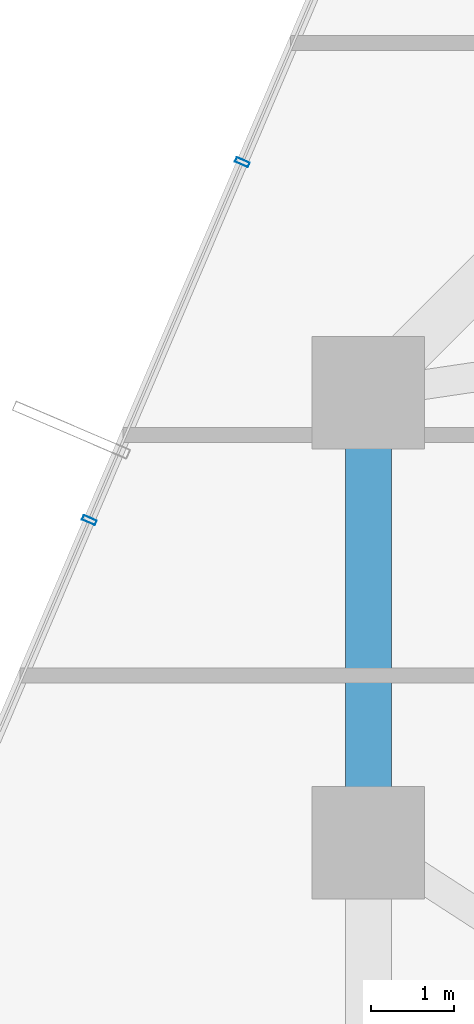
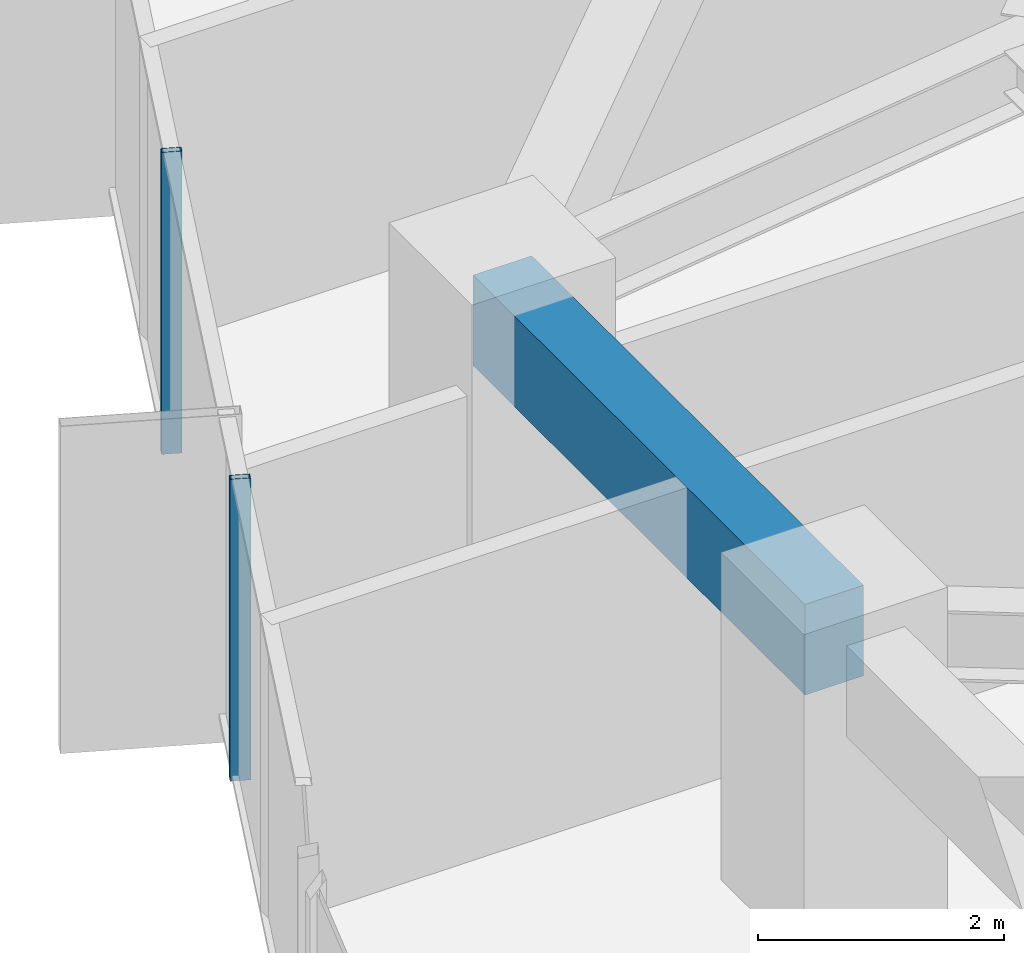
# One storey, part 12 of 37: 2 members, 1 beam, 1 element without a shape of its own.
"""IFC4 building model written with IfcOpenShell, lengths in metres."""

from ifc_helpers import new_model, si_unit, direction, frame, origin, origin_2d, place, context, subcontext, project, spatial, rectangle, hollow_rectangle, extrude, source, transform, mapped, material, layer, layer_set, material_profile, profile_set, type_object, element, aggregate, save


model = new_model("IFC4")

# Units and contexts
model_context = context("Model", 3, precision=1e-05, world=origin(), true_north=direction((0.0, 1.0)))
body_context = subcontext(model_context, "Body", "Model", "MODEL_VIEW")
ifc_project = project(units=[si_unit("LENGTHUNIT", "METRE"), si_unit("AREAUNIT", "SQUARE_METRE"), si_unit("VOLUMEUNIT", "CUBIC_METRE"), si_unit("PLANEANGLEUNIT", "RADIAN"), si_unit("MASSUNIT", "GRAM", prefix="KILO")], contexts=[model_context])

# Site, building, storey
site_placement = place(None, origin())
site = spatial("IfcSite", under=ifc_project, at=site_placement, CompositionType="ELEMENT")
building_placement = place(site_placement, origin())
building = spatial("IfcBuilding", under=site, at=building_placement, Name="Veraguas Prism Commons", CompositionType="ELEMENT")
storey_placement = place(building_placement, frame((0.0, 0.0, 46.800048828125)))
storey = spatial("IfcBuildingStorey", under=building, at=storey_placement, Name="L12", CompositionType="ELEMENT", Elevation=46.800048828125)

# Beam
ifc_material_1 = material(Name="Concrete C50/60", Category="concrete")
ifc_material_profile_1 = material_profile(ifc_material_1, rectangle(XDim=0.550048828125, YDim=0.89990234375, at=origin_2d()), Name="RC550X900")
ifc_profile_set_1 = profile_set([ifc_material_profile_1], Name="Concrete C50/60")
beam_type = type_object("IfcBeamType", Name="Perimeter Spandrel Lower RC 550x900", PredefinedType="SPANDREL", material=ifc_profile_set_1)
beam_placement = place(storey_placement, frame((6.39990234375, 29.39990234375, 2.550048828125), z_axis=(0.0, -1.0, 0.0), x_axis=(1.0, 0.0, 0.0)))
element("IfcBeam", 1, at=beam_placement, inside=storey, type_object=beam_type, Name="Perimeter Spandrel Beam L12-SP07", PredefinedType="SPANDREL", context=body_context, shape_type="SweptSolid", body=[
    extrude(rectangle(XDim=0.550048828125, YDim=0.89990234375, at=origin_2d()), origin(), (0.0, 0.0, 1.0), 5.39990234375),
])

# Curtain wall, members
ifc_material_2 = material(Name="Anodised aluminium EN AW-6063 T6", Category="aluminium")
ifc_layer = layer(ifc_material_2, 0.169921875, Name="Unitised Flush Curtain Wall Zone 1", Category="aluminium")
ifc_layer_set = layer_set([ifc_layer], Name="Anodised aluminium EN AW-6063 T6")
curtain_wall_type = type_object("IfcCurtainWallType", Name="Unitised Flush Curtain Wall Zone 1", PredefinedType="NOTDEFINED", material=ifc_layer_set)
curtain_wall_placement = place(storey_placement, origin())
curtain_wall = element("IfcCurtainWall", 2, at=curtain_wall_placement, inside=storey, type_object=curtain_wall_type, Name="Tower Facade Curtain Wall L12-F3", PredefinedType="NOTDEFINED")
ifc_material_profile_2 = material_profile(ifc_material_2, hollow_rectangle(XDim=0.06005859375, YDim=0.169921875, WallThickness=0.00390625, at=origin_2d()), Name="AL60X170X4")
ifc_profile_set_2 = profile_set([ifc_material_profile_2], Name="Anodised aluminium EN AW-6063 T6")
member_type = type_object("IfcMemberType", Name="Curtain Wall Mullion Lower AL 60x170x4", PredefinedType="MULLION", material=ifc_profile_set_2)
shared_shape = source(origin(), body_context, "Body", "SweptSolid", [
    extrude(hollow_rectangle(XDim=0.06005859375, YDim=0.169921875, WallThickness=0.00390625, at=origin_2d()), origin(), (0.0, 0.0, 1.0), 3.0),
])
member_1_placement = place(storey_placement, frame((4.887451171875, 32.16796875, 0.0), z_axis=(0.0, 0.0, 1.0), x_axis=(-0.392977572574, -0.919548056087, 0.0)))
member_1 = element("IfcMember", 3, at=member_1_placement, type_object=member_type, Name="CW-Z1 Mullion 3", PredefinedType="MULLION", context=body_context, shape_type="MappedRepresentation", body=[
    mapped(shared_shape, transform((0.0, 0.0, 0.0), scale=1.0)),
])
member_2_placement = place(storey_placement, frame((3.052001953125, 27.872802734375, 0.0), z_axis=(0.0, 0.0, 1.0), x_axis=(-0.392977572574, -0.919548056087, 0.0)))
member_2 = element("IfcMember", 4, at=member_2_placement, type_object=member_type, Name="CW-Z1 Mullion 4", PredefinedType="MULLION", context=body_context, shape_type="MappedRepresentation", body=[
    mapped(shared_shape, transform((0.0, 0.0, 0.0), scale=1.0)),
])
aggregate(curtain_wall, [member_1, member_2])

save(model, "model.ifc")
